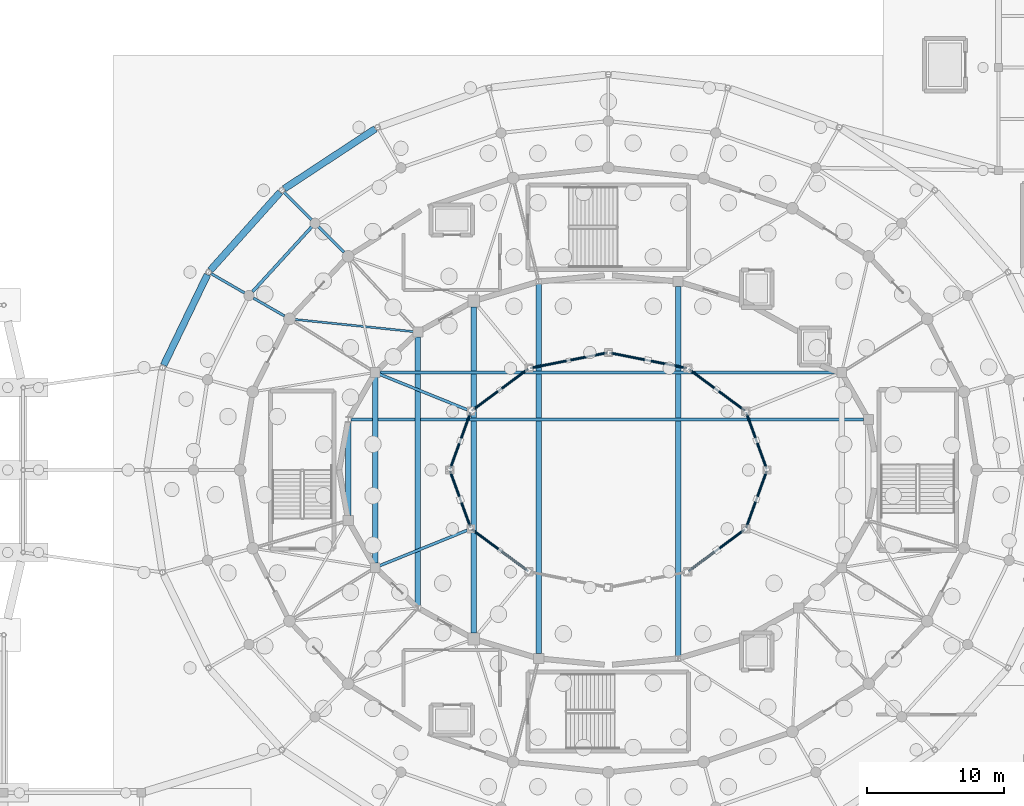
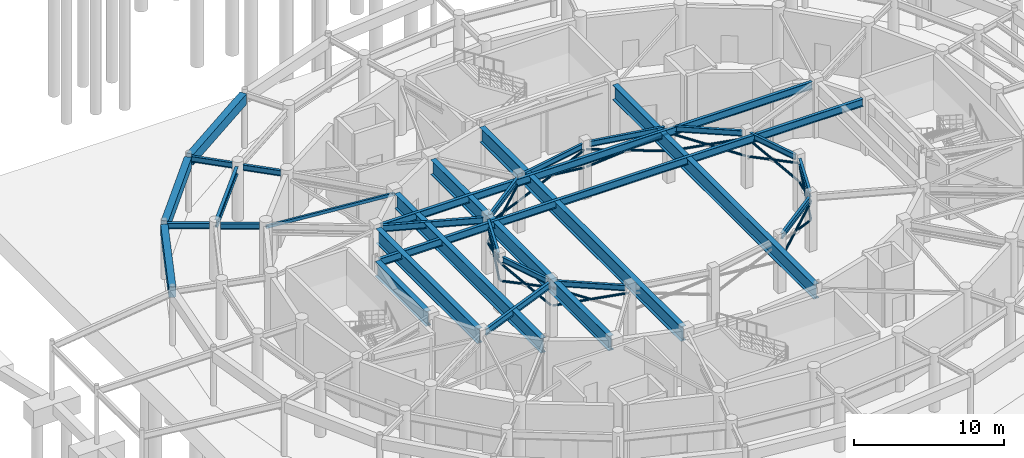
# One storey, part 29 of 68: 29 members, 28 beams.
"""IFC4 building model written with IfcOpenShell, lengths in metres."""

from ifc_helpers import new_model, si_unit, direction, frame, origin, origin_2d, place, context, subcontext, project, spatial, rectangle, hollow_rectangle, hollow_circle, i_section, extrude, material, material_profile, profile_set, type_object, element, save


model = new_model("IFC4")

# Units and contexts
model_context = context("Model", 3, precision=1e-05, world=origin(), true_north=direction((0.0, 1.0)))
body_context = subcontext(model_context, "Body", "Model", "MODEL_VIEW")
ifc_project = project(units=[si_unit("LENGTHUNIT", "METRE"), si_unit("AREAUNIT", "SQUARE_METRE"), si_unit("VOLUMEUNIT", "CUBIC_METRE"), si_unit("PLANEANGLEUNIT", "RADIAN"), si_unit("MASSUNIT", "GRAM", prefix="KILO")], contexts=[model_context])

# Site, building, storey
site_placement = place(None, origin())
site = spatial("IfcSite", under=ifc_project, at=site_placement, CompositionType="ELEMENT")
building_placement = place(site_placement, origin())
building = spatial("IfcBuilding", under=site, at=building_placement, Name="Cinderbank Siding Concert Hall", CompositionType="ELEMENT")
storey_placement = place(building_placement, frame((0.0, 0.0, -4.800048828125)))
storey = spatial("IfcBuildingStorey", under=building, at=storey_placement, Name="B1", CompositionType="ELEMENT", Elevation=-4.800048828125)

# Beams
ifc_material_1 = material(Name="Reinforced concrete AS 3600 N50 (50 MPa)", Category="concrete")
ifc_material_profile_1 = material_profile(ifc_material_1, rectangle(XDim=0.5, YDim=0.85009765625, at=origin_2d()), Name="RC-BM-500x850", Category="LoadBearing")
ifc_profile_set_1 = profile_set([ifc_material_profile_1], Name="Reinforced concrete AS 3600 N50 (50 MPa)")
beam_type_1 = type_object("IfcBeamType", Name="BM-RC850 RC-BM-500x850", PredefinedType="BEAM", material=ifc_profile_set_1)
beam_1_placement = place(storey_placement, frame((105.036865234375, 68.834228515625, 4.09716796875), z_axis=(-0.835488051266, -0.549508613392, 0.0), x_axis=(0.549508613392, -0.835488051266, 0.0)))
element("IfcBeam", 1, at=beam_1_placement, inside=storey, type_object=beam_type_1, Name="B1 Beam BM-RC850 #258", PredefinedType="BEAM", context=body_context, shape_type="SweptSolid", body=[
    extrude(rectangle(XDim=0.5, YDim=0.85009765625, at=origin_2d()), origin(), (0.0, 0.0, 1.0), 7.9384765625),
])
beam_2_placement = place(storey_placement, frame((98.111083984375, 64.21923828125, 4.09716796875), z_axis=(-0.66699631625, -0.745061013682, 0.0), x_axis=(0.745061013682, -0.66699631625, 0.0)))
element("IfcBeam", 2, at=beam_2_placement, inside=storey, type_object=beam_type_1, Name="B1 Beam BM-RC850 #259", PredefinedType="BEAM", context=body_context, shape_type="SweptSolid", body=[
    extrude(rectangle(XDim=0.5, YDim=0.85009765625, at=origin_2d()), origin(), (0.0, 0.0, 1.0), 7.615234375),
])
beam_3_placement = place(storey_placement, frame((92.816650390625, 58.22412109375, 4.09716796875), z_axis=(-0.435119119312, -0.900372896087, 0.0), x_axis=(0.900372896087, -0.435119119312, 0.0)))
element("IfcBeam", 3, at=beam_3_placement, inside=storey, type_object=beam_type_1, Name="B1 Beam BM-RC850 #260", PredefinedType="BEAM", context=body_context, shape_type="SweptSolid", body=[
    extrude(rectangle(XDim=0.5, YDim=0.85009765625, at=origin_2d()), origin(), (0.0, 0.0, 1.0), 7.323974609375),
])
ifc_material_2 = material(Name="Structural steel AS/NZS 3679.1 Grade 350 (340 MPa)", Category="steel")
ifc_material_profile_2 = material_profile(ifc_material_2, i_section(OverallWidth=0.18994140625, OverallDepth=0.45751953125, WebThickness=0.009033203125, FlangeThickness=0.014404296875, at=origin_2d()), Name="460UB74.6", Category="LoadBearing")
ifc_profile_set_2 = profile_set([ifc_material_profile_2], Name="Structural steel AS/NZS 3679.1 Grade 350 (340 MPa)")
beam_type_2 = type_object("IfcBeamType", Name="BM-UB460 460UB74.6", PredefinedType="BEAM", material=ifc_profile_set_2)
beam_4_placement = place(storey_placement, frame((133.45068359375, 44.274658203125, 4.25341796875), z_axis=(-0.340357494057, 0.940296110935, 0.0), x_axis=(-0.940296110935, -0.340357494057, 0.0)))
element("IfcBeam", 4, at=beam_4_placement, inside=storey, type_object=beam_type_2, Name="B1 Beam BM-UB460 #130", PredefinedType="BEAM", context=body_context, shape_type="SweptSolid", body=[
    extrude(i_section(OverallWidth=0.18994140625, OverallDepth=0.45751953125, WebThickness=0.009033203125, FlangeThickness=0.014404296875, at=origin_2d()), origin(), (0.0, 0.0, 1.0), 3.96240234375),
])
beam_5_placement = place(storey_placement, frame((131.767822265625, 48.44873046875, 4.25341796875), z_axis=(-0.803737525345, 0.594984025291, 0.0), x_axis=(-0.594984025291, -0.803737525345, 0.0)))
element("IfcBeam", 5, at=beam_5_placement, inside=storey, type_object=beam_type_2, Name="B1 Beam BM-UB460 #131", PredefinedType="BEAM", context=body_context, shape_type="SweptSolid", body=[
    extrude(i_section(OverallWidth=0.18994140625, OverallDepth=0.45751953125, WebThickness=0.009033203125, FlangeThickness=0.014404296875, at=origin_2d()), origin(), (0.0, 0.0, 1.0), 4.67578125),
])
for number, where, z_axis, x_axis, name in (
    (6, (127.488525390625, 51.461181640625, 4.25341796875), (-0.980885780775, 0.19458439062, 0.0), (-0.19458439062, -0.980885780775, 0.0), "B1 Beam BM-UB460 #133"),
    (7, (121.713623046875, 52.4931640625, 4.25341796875), (-0.980885780775, -0.19458439062, 0.0), (0.19458439062, -0.980885780775, 0.0), "B1 Beam BM-UB460 #134"),
):
    element("IfcBeam", number, at=place(storey_placement, frame(where, z_axis=z_axis, x_axis=x_axis)), inside=storey, type_object=beam_type_2, Name=name, PredefinedType="BEAM", context=body_context, shape_type="SweptSolid", body=[
        extrude(i_section(OverallWidth=0.18994140625, OverallDepth=0.45751953125, WebThickness=0.009033203125, FlangeThickness=0.014404296875, at=origin_2d()), origin(), (0.0, 0.0, 1.0), 5.303466796875),
    ])
beam_6_placement = place(storey_placement, frame((115.990234375, 51.230712890625, 4.25341796875), z_axis=(-0.803737525345, -0.594984025291, 0.0), x_axis=(0.594984025291, -0.803737525345, 0.0)))
element("IfcBeam", 8, at=beam_6_placement, inside=storey, type_object=beam_type_2, Name="B1 Beam BM-UB460 #135", PredefinedType="BEAM", context=body_context, shape_type="SweptSolid", body=[
    extrude(i_section(OverallWidth=0.18994140625, OverallDepth=0.45751953125, WebThickness=0.009033203125, FlangeThickness=0.014404296875, at=origin_2d()), origin(), (0.0, 0.0, 1.0), 4.67578125),
])
for number, where, z_axis, x_axis, name in (
    (9, (111.89794921875, 48.00048828125, 4.25341796875), (-0.340357494057, -0.940296110935, 0.0), (0.940296110935, -0.340357494057, 0.0), "B1 Beam BM-UB460 #137"),
    (10, (110.54931640625, 43.725341796875, 4.25341796875), (0.340357494057, -0.940296110935, 0.0), (0.940296110935, 0.340357494057, 0.0), "B1 Beam BM-UB460 #139"),
):
    element("IfcBeam", number, at=place(storey_placement, frame(where, z_axis=z_axis, x_axis=x_axis)), inside=storey, type_object=beam_type_2, Name=name, PredefinedType="BEAM", context=body_context, shape_type="SweptSolid", body=[
        extrude(i_section(OverallWidth=0.18994140625, OverallDepth=0.45751953125, WebThickness=0.009033203125, FlangeThickness=0.014404296875, at=origin_2d()), origin(), (0.0, 0.0, 1.0), 3.96240234375),
    ])
for number, where, z_axis, x_axis, name in (
    (11, (112.232177734375, 39.55126953125, 4.25341796875), (0.803737525345, -0.594984025291, 0.0), (0.594984025291, 0.803737525345, 0.0), "B1 Beam BM-UB460 #140"),
    (12, (128.009765625, 36.769287109375, 4.25341796875), (0.803737525345, 0.594984025291, 0.0), (-0.594984025291, 0.803737525345, 0.0), "B1 Beam BM-UB460 #145"),
):
    element("IfcBeam", number, at=place(storey_placement, frame(where, z_axis=z_axis, x_axis=x_axis)), inside=storey, type_object=beam_type_2, Name=name, PredefinedType="BEAM", context=body_context, shape_type="SweptSolid", body=[
        extrude(i_section(OverallWidth=0.18994140625, OverallDepth=0.45751953125, WebThickness=0.009033203125, FlangeThickness=0.014404296875, at=origin_2d()), origin(), (0.0, 0.0, 1.0), 4.67578125),
    ])
beam_7_placement = place(storey_placement, frame((132.10205078125, 39.99951171875, 4.25341796875), z_axis=(0.340357494057, 0.940296110935, 0.0), x_axis=(-0.940296110935, 0.340357494057, 0.0)))
element("IfcBeam", 13, at=beam_7_placement, inside=storey, type_object=beam_type_2, Name="B1 Beam BM-UB460 #146", PredefinedType="BEAM", context=body_context, shape_type="SweptSolid", body=[
    extrude(i_section(OverallWidth=0.18994140625, OverallDepth=0.45751953125, WebThickness=0.009033203125, FlangeThickness=0.014404296875, at=origin_2d()), origin(), (0.0, 0.0, 1.0), 3.96240234375),
])
ifc_material_profile_3 = material_profile(ifc_material_2, i_section(OverallWidth=0.19091796875, OverallDepth=0.46044921875, WebThickness=0.010009765625, FlangeThickness=0.01611328125, at=origin_2d()), Name="460UB82.1", Category="LoadBearing")
ifc_profile_set_3 = profile_set([ifc_material_profile_3], Name="Structural steel AS/NZS 3679.1 Grade 350 (340 MPa)")
beam_type_3 = type_object("IfcBeamType", Name="BM-UB460H 460UB82.1", PredefinedType="BEAM", material=ifc_profile_set_3)
beam_8_placement = place(storey_placement, frame((102.754638671875, 59.851318359375, 4.251953125), z_axis=(-0.707153444121, 0.707060115172, 0.0), x_axis=(-0.707060115172, -0.707153444121, 0.0)))
element("IfcBeam", 14, at=beam_8_placement, inside=storey, type_object=beam_type_3, Name="B1 Beam BM-UB460H #294", PredefinedType="BEAM", context=body_context, shape_type="SweptSolid", body=[
    extrude(i_section(OverallWidth=0.19091796875, OverallDepth=0.46044921875, WebThickness=0.010009765625, FlangeThickness=0.01611328125, at=origin_2d()), origin(), (0.0, 0.0, 1.0), 2.615966796875),
])
beam_9_placement = place(storey_placement, frame((98.429443359375, 55.20849609375, 4.251953125), z_axis=(-0.866017746076, 0.500013263306, 0.0), x_axis=(-0.500013263306, -0.866017746076, 0.0)))
element("IfcBeam", 15, at=beam_9_placement, inside=storey, type_object=beam_type_3, Name="B1 Beam BM-UB460H #295", PredefinedType="BEAM", context=body_context, shape_type="SweptSolid", body=[
    extrude(i_section(OverallWidth=0.19091796875, OverallDepth=0.46044921875, WebThickness=0.010009765625, FlangeThickness=0.01611328125, at=origin_2d()), origin(), (0.0, 0.0, 1.0), 2.6162109375),
])
beam_10_placement = place(storey_placement, frame((100.385986328125, 62.219970703125, 4.291748046875), z_axis=(-0.707106781187, 0.707106781187, 0.0), x_axis=(-0.707106781187, -0.707106781187, 0.0)))
element("IfcBeam", 16, at=beam_10_placement, inside=storey, type_object=beam_type_3, Name="B1 Beam BM-UB460H #318", PredefinedType="BEAM", context=body_context, shape_type="SweptSolid", body=[
    extrude(i_section(OverallWidth=0.19091796875, OverallDepth=0.46044921875, WebThickness=0.010009765625, FlangeThickness=0.01611328125, at=origin_2d()), origin(), (0.0, 0.0, 1.0), 2.838134765625),
])
beam_11_placement = place(storey_placement, frame((95.5283203125, 56.883544921875, 4.291748046875), z_axis=(-0.866032301043, 0.499988053408, 0.0), x_axis=(-0.499988053408, -0.866032301043, 0.0)))
element("IfcBeam", 17, at=beam_11_placement, inside=storey, type_object=beam_type_3, Name="B1 Beam BM-UB460H #319", PredefinedType="BEAM", context=body_context, shape_type="SweptSolid", body=[
    extrude(i_section(OverallWidth=0.19091796875, OverallDepth=0.46044921875, WebThickness=0.010009765625, FlangeThickness=0.01611328125, at=origin_2d()), origin(), (0.0, 0.0, 1.0), 2.837890625),
])
ifc_material_profile_4 = material_profile(ifc_material_2, i_section(OverallWidth=0.208984375, OverallDepth=0.5283203125, WebThickness=0.009521484375, FlangeThickness=0.01318359375, at=origin_2d()), Name="530UB82.0", Category="LoadBearing")
ifc_profile_set_4 = profile_set([ifc_material_profile_4], Name="Structural steel AS/NZS 3679.1 Grade 350 (340 MPa)")
beam_type_4 = type_object("IfcBeamType", Name="BM-UB530 530UB82.0", PredefinedType="BEAM", material=ifc_profile_set_4)
for number, where, z_axis, x_axis, name in (
    (18, (111.726806640625, 48.384765625, 4.218017578125), (-0.926795292683, 0.37556688547, 0.0), (-0.37556688547, -0.926795292683, 0.0), "B1 Beam BM-UB530 #138"),
    (19, (111.726806640625, 39.615234375, 4.218017578125), (-0.926795292683, -0.37556688547, 0.0), (0.37556688547, -0.926795292683, 0.0), "B1 Beam BM-UB530 #141"),
):
    element("IfcBeam", number, at=place(storey_placement, frame(where, z_axis=z_axis, x_axis=x_axis)), inside=storey, type_object=beam_type_4, Name=name, PredefinedType="BEAM", context=body_context, shape_type="SweptSolid", body=[
        extrude(i_section(OverallWidth=0.208984375, OverallDepth=0.5283203125, WebThickness=0.009521484375, FlangeThickness=0.01318359375, at=origin_2d()), origin(), (0.0, 0.0, 1.0), 6.887939453125),
    ])
ifc_material_profile_5 = material_profile(ifc_material_2, i_section(OverallWidth=0.22900390625, OverallDepth=0.611572265625, WebThickness=0.011962890625, FlangeThickness=0.01953125, at=origin_2d()), Name="610UB125", Category="LoadBearing")
ifc_profile_set_5 = profile_set([ifc_material_profile_5], Name="Structural steel AS/NZS 3679.1 Grade 350 (340 MPa)")
beam_type_5 = type_object("IfcBeamType", Name="BM-UB610H 610UB125", PredefinedType="BEAM", material=ifc_profile_set_5)
beam_12_placement = place(storey_placement, frame((140.565185546875, 47.67529296875, 4.17626953125), z_axis=(-1.0, 0.0, 0.0), x_axis=(0.0, -1.0, 0.0)))
element("IfcBeam", 20, at=beam_12_placement, inside=storey, type_object=beam_type_5, Name="B1 Beam BM-UB610H #109", PredefinedType="BEAM", context=body_context, shape_type="SweptSolid", body=[
    extrude(i_section(OverallWidth=0.22900390625, OverallDepth=0.611572265625, WebThickness=0.011962890625, FlangeThickness=0.01953125, at=origin_2d()), origin(), (0.0, 0.0, 1.0), 37.30517578125),
])
beam_13_placement = place(storey_placement, frame((138.632080078125, 51.10009765625, 4.17626953125), z_axis=(-1.0, 0.0, 0.0), x_axis=(0.0, -1.0, 0.0)))
element("IfcBeam", 21, at=beam_13_placement, inside=storey, type_object=beam_type_5, Name="B1 Beam BM-UB610H #111", PredefinedType="BEAM", context=body_context, shape_type="SweptSolid", body=[
    extrude(i_section(OverallWidth=0.22900390625, OverallDepth=0.611572265625, WebThickness=0.011962890625, FlangeThickness=0.01953125, at=origin_2d()), origin(), (0.0, 0.0, 1.0), 33.26416015625),
])
ifc_material_profile_6 = material_profile(ifc_material_2, i_section(OverallWidth=0.22802734375, OverallDepth=0.60693359375, WebThickness=0.01123046875, FlangeThickness=0.017333984375, at=origin_2d()), Name="610UB113", Category="LoadBearing")
ifc_profile_set_6 = profile_set([ifc_material_profile_6], Name="Structural steel AS/NZS 3679.1 Grade 350 (340 MPa)")
beam_type_6 = type_object("IfcBeamType", Name="BM-UB610M 610UB113", PredefinedType="BEAM", material=ifc_profile_set_6)
beam_14_placement = place(storey_placement, frame((100.39794921875, 61.689453125, 4.178466796875), z_axis=(-0.673967477755, -0.738761016113, 0.0), x_axis=(0.738761016113, -0.673967477755, 0.0)))
element("IfcBeam", 22, at=beam_14_placement, inside=storey, type_object=beam_type_6, Name="B1 Beam BM-UB610M #235", PredefinedType="BEAM", context=body_context, shape_type="SweptSolid", body=[
    extrude(i_section(OverallWidth=0.22802734375, OverallDepth=0.60693359375, WebThickness=0.01123046875, FlangeThickness=0.017333984375, at=origin_2d()), origin(), (0.0, 0.0, 1.0), 6.38671875),
])
ifc_material_3 = material(Name="Structural steel welded plate section AS/NZS 3679.2 / AS/NZS 3678 Grade 350 (340 MPa)", Category="steel")
ifc_material_profile_7 = material_profile(ifc_material_3, i_section(OverallWidth=0.39990234375, OverallDepth=1.199951171875, WebThickness=0.01611328125, FlangeThickness=0.031982421875, at=origin_2d()), Name="1200WB342", Category="LoadBearing")
ifc_profile_set_7 = profile_set([ifc_material_profile_7], Name="Structural steel welded plate section AS/NZS 3679.2 / AS/NZS 3678 Grade 350 (340 MPa)")
beam_type_7 = type_object("IfcBeamType", Name="BM-WB1200 1200WB342", PredefinedType="BEAM", material=ifc_profile_set_7)
for number, where, z_axis, x_axis, name in (
    (23, (127.072998046875, 57.34912109375, 3.882080078125), (0.0, -1.0, 0.0), (1.0, 0.0, 0.0), "B1 Beam BM-WB1200 #112"),
    (24, (116.927001953125, 57.524169921875, 3.882080078125), (0.0, -1.0, 0.0), (1.0, 0.0, 0.0), "B1 Beam BM-WB1200 #114"),
):
    element("IfcBeam", number, at=place(storey_placement, frame(where, z_axis=z_axis, x_axis=x_axis)), inside=storey, type_object=beam_type_7, Name=name, PredefinedType="BEAM", context=body_context, shape_type="SweptSolid", body=[
        extrude(i_section(OverallWidth=0.39990234375, OverallDepth=1.199951171875, WebThickness=0.01611328125, FlangeThickness=0.031982421875, at=origin_2d()), origin(), (0.0, 0.0, 1.0), 26.873291015625),
    ])
beam_15_placement = place(storey_placement, frame((112.199951171875, 55.880615234375, 3.882080078125), z_axis=(0.0, -1.0, 0.0), x_axis=(1.0, 0.0, 0.0)))
element("IfcBeam", 25, at=beam_15_placement, inside=storey, type_object=beam_type_7, Name="B1 Beam BM-WB1200 #115", PredefinedType="BEAM", context=body_context, shape_type="SweptSolid", body=[
    extrude(i_section(OverallWidth=0.39990234375, OverallDepth=1.199951171875, WebThickness=0.01611328125, FlangeThickness=0.031982421875, at=origin_2d()), origin(), (0.0, 0.0, 1.0), 23.76123046875),
])
beam_16_placement = place(storey_placement, frame((108.140625, 53.673828125, 3.882080078125), z_axis=(0.0, -1.0, 0.0), x_axis=(1.0, 0.0, 0.0)))
element("IfcBeam", 26, at=beam_16_placement, inside=storey, type_object=beam_type_7, Name="B1 Beam BM-WB1200 #116", PredefinedType="BEAM", context=body_context, shape_type="SweptSolid", body=[
    extrude(i_section(OverallWidth=0.39990234375, OverallDepth=1.199951171875, WebThickness=0.01611328125, FlangeThickness=0.031982421875, at=origin_2d()), origin(), (0.0, 0.0, 1.0), 19.522705078125),
])
beam_17_placement = place(storey_placement, frame((105.02587890625, 50.758056640625, 3.882080078125), z_axis=(0.0, -1.0, 0.0), x_axis=(1.0, 0.0, 0.0)))
element("IfcBeam", 27, at=beam_17_placement, inside=storey, type_object=beam_type_7, Name="B1 Beam BM-WB1200 #117", PredefinedType="BEAM", context=body_context, shape_type="SweptSolid", body=[
    extrude(i_section(OverallWidth=0.39990234375, OverallDepth=1.199951171875, WebThickness=0.01611328125, FlangeThickness=0.031982421875, at=origin_2d()), origin(), (0.0, 0.0, 1.0), 13.51611328125),
])
beam_18_placement = place(storey_placement, frame((103.06787109375, 47.483154296875, 3.882080078125), z_axis=(0.0, -1.0, 0.0), x_axis=(1.0, 0.0, 0.0)))
element("IfcBeam", 28, at=beam_18_placement, inside=storey, type_object=beam_type_7, Name="B1 Beam BM-WB1200 #118", PredefinedType="BEAM", context=body_context, shape_type="SweptSolid", body=[
    extrude(i_section(OverallWidth=0.39990234375, OverallDepth=1.199951171875, WebThickness=0.01611328125, FlangeThickness=0.031982421875, at=origin_2d()), origin(), (0.0, 0.0, 1.0), 6.791259765625),
])

# Members
ifc_material_4 = material(Name="Structural steel hollow section AS/NZS 1163 Grade C350L0 (350 MPa)", Category="steel")
ifc_material_profile_8 = material_profile(ifc_material_4, hollow_circle(Radius=0.084228515625, WallThickness=0.007080078125, at=origin_2d()), Name="168.3x7.1CHS", Category="LoadBearing")
ifc_profile_set_8 = profile_set([ifc_material_profile_8], Name="Structural steel hollow section AS/NZS 1163 Grade C350L0 (350 MPa)")
member_type_1 = type_object("IfcMemberType", Name="BR-CHS168 168.3x7.1CHS Roof Truss", PredefinedType="BRACE", material=ifc_profile_set_8)
member_1_placement = place(storey_placement, frame((133.522705078125, 44.0751953125, 2.400146484375), z_axis=(-0.323374434675, 0.893391283629, 0.311899005022), x_axis=(-0.940297792876, -0.340352847368, 0.0)))
element("IfcMember", 29, at=member_1_placement, inside=storey, type_object=member_type_1, Name="B1 Diagonal Brace BR-CHS168 #RKCR-BR-CHS168-B1-1998", PredefinedType="BRACE", context=body_context, shape_type="SweptSolid", body=[
    extrude(hollow_circle(Radius=0.084228515625, WallThickness=0.007080078125, at=origin_2d()), origin(), (0.0, 0.0, 1.0), 4.61669921875),
])
for number, where, z_axis, x_axis, name in (
    (30, (132.02978515625, 48.19970703125, 2.400146484375), (0.323421896065, -0.893402419941, 0.311817884653), (0.940283163475, 0.340393261515, 0.0), "B1 Diagonal Brace BR-CHS168 #RKCR-BR-CHS168-B1-1999"),
    (31, (132.78125, 46.1240234375, 3.124755859375), (0.323315832989, -0.893403513482, 0.311924725274), (0.940319021483, 0.34029419307, 0.0), "B1 Diagonal Brace BR-CHS168 #RKCR-BR-CHS168-B1-1999-S153"),
):
    element("IfcMember", number, at=place(storey_placement, frame(where, z_axis=z_axis, x_axis=x_axis)), inside=storey, type_object=member_type_1, Name=name, PredefinedType="BRACE", context=body_context, shape_type="SweptSolid", body=[
        extrude(hollow_circle(Radius=0.084228515625, WallThickness=0.007080078125, at=origin_2d()), origin(), (0.0, 0.0, 1.0), 2.293212890625),
    ])
member_2_placement = place(storey_placement, frame((131.938232421875, 48.322509765625, 2.400146484375), z_axis=(-0.773483829379, 0.57261483801, 0.271725988783), x_axis=(-0.595001989932, -0.803724226322, 0.0)))
element("IfcMember", 32, at=member_2_placement, inside=storey, type_object=member_type_1, Name="B1 Diagonal Brace BR-CHS168 #RKCR-BR-CHS168-B1-2000", PredefinedType="BRACE", context=body_context, shape_type="SweptSolid", body=[
    extrude(hollow_circle(Radius=0.084228515625, WallThickness=0.007080078125, at=origin_2d()), origin(), (0.0, 0.0, 1.0), 5.29931640625),
])
member_3_placement = place(storey_placement, frame((127.83935546875, 51.35693359375, 2.400146484375), z_axis=(0.773503697063, -0.572598459824, 0.271703946303), x_axis=(0.59498112384, 0.803739673199, 0.0)))
element("IfcMember", 33, at=member_3_placement, inside=storey, type_object=member_type_1, Name="B1 Diagonal Brace BR-CHS168 #RKCR-BR-CHS168-B1-2001", PredefinedType="BRACE", context=body_context, shape_type="SweptSolid", body=[
    extrude(hollow_circle(Radius=0.084228515625, WallThickness=0.007080078125, at=origin_2d()), origin(), (0.0, 0.0, 1.0), 2.634521484375),
])
member_4_placement = place(storey_placement, frame((129.900390625, 49.831298828125, 3.124267578125), z_axis=(0.773462653494, -0.572660740217, 0.271689529177), x_axis=(0.595043322136, 0.803693626192, 0.0)))
element("IfcMember", 34, at=member_4_placement, inside=storey, type_object=member_type_1, Name="B1 Diagonal Brace BR-CHS168 #RKCR-BR-CHS168-B1-2001-S154", PredefinedType="BRACE", context=body_context, shape_type="SweptSolid", body=[
    extrude(hollow_circle(Radius=0.084228515625, WallThickness=0.007080078125, at=origin_2d()), origin(), (0.0, 0.0, 1.0), 2.634765625),
])
member_5_placement = place(storey_placement, frame((127.696533203125, 51.420166015625, 2.400146484375), z_axis=(-0.95128806538, 0.188678402955, 0.243826735457), x_axis=(-0.194550158365, -0.980892571019, 0.0)))
element("IfcMember", 35, at=member_5_placement, inside=storey, type_object=member_type_1, Name="B1 Diagonal Brace BR-CHS168 #RKCR-BR-CHS168-B1-2002", PredefinedType="BRACE", context=body_context, shape_type="SweptSolid", body=[
    extrude(hollow_circle(Radius=0.084228515625, WallThickness=0.007080078125, at=origin_2d()), origin(), (0.0, 0.0, 1.0), 5.905517578125),
])
for number, where, z_axis, x_axis, name in (
    (36, (122.07861328125, 52.534423828125, 2.400146484375), (0.951279182197, -0.18872674262, 0.243823981879), (0.19459986347, 0.980882711203, 0.0), "B1 Diagonal Brace BR-CHS168 #RKCR-BR-CHS168-B1-2003"),
    (37, (124.90185546875, 51.974365234375, 3.123779296875), (0.951294098882, -0.188646597752, 0.2438278052), (0.194517417313, 0.980899064309, 0.0), "B1 Diagonal Brace BR-CHS168 #RKCR-BR-CHS168-B1-2003-S155"),
):
    element("IfcMember", number, at=place(storey_placement, frame(where, z_axis=z_axis, x_axis=x_axis)), inside=storey, type_object=member_type_1, Name=name, PredefinedType="BRACE", context=body_context, shape_type="SweptSolid", body=[
        extrude(hollow_circle(Radius=0.084228515625, WallThickness=0.007080078125, at=origin_2d()), origin(), (0.0, 0.0, 1.0), 2.937744140625),
    ])
member_6_placement = place(storey_placement, frame((121.92138671875, 52.534423828125, 2.400146484375), z_axis=(-0.95128806538, -0.188678402955, 0.243826735457), x_axis=(0.194550158365, -0.980892571019, 0.0)))
element("IfcMember", 38, at=member_6_placement, inside=storey, type_object=member_type_1, Name="B1 Diagonal Brace BR-CHS168 #RKCR-BR-CHS168-B1-2004", PredefinedType="BRACE", context=body_context, shape_type="SweptSolid", body=[
    extrude(hollow_circle(Radius=0.084228515625, WallThickness=0.007080078125, at=origin_2d()), origin(), (0.0, 0.0, 1.0), 5.905517578125),
])
for number, where, z_axis, x_axis, name in (
    (39, (116.303466796875, 51.420166015625, 2.400146484375), (0.951294098882, 0.188646597752, 0.2438278052), (-0.194517417313, 0.980899064309, 0.0), "B1 Diagonal Brace BR-CHS168 #RKCR-BR-CHS168-B1-2005"),
    (40, (119.126708984375, 51.97998046875, 3.123779296875), (0.951279182197, 0.18872674262, 0.243823981879), (-0.19459986347, 0.980882711203, 0.0), "B1 Diagonal Brace BR-CHS168 #RKCR-BR-CHS168-B1-2005-S156"),
):
    element("IfcMember", number, at=place(storey_placement, frame(where, z_axis=z_axis, x_axis=x_axis)), inside=storey, type_object=member_type_1, Name=name, PredefinedType="BRACE", context=body_context, shape_type="SweptSolid", body=[
        extrude(hollow_circle(Radius=0.084228515625, WallThickness=0.007080078125, at=origin_2d()), origin(), (0.0, 0.0, 1.0), 2.937744140625),
    ])
member_7_placement = place(storey_placement, frame((116.16064453125, 51.35693359375, 2.400146484375), z_axis=(-0.773483829379, -0.57261483801, 0.271725988783), x_axis=(0.595001989932, -0.803724226322, 0.0)))
element("IfcMember", 41, at=member_7_placement, inside=storey, type_object=member_type_1, Name="B1 Diagonal Brace BR-CHS168 #RKCR-BR-CHS168-B1-2006", PredefinedType="BRACE", context=body_context, shape_type="SweptSolid", body=[
    extrude(hollow_circle(Radius=0.084228515625, WallThickness=0.007080078125, at=origin_2d()), origin(), (0.0, 0.0, 1.0), 5.29931640625),
])
member_8_placement = place(storey_placement, frame((112.061767578125, 48.322509765625, 2.400146484375), z_axis=(0.773462653494, 0.572660740217, 0.271689529177), x_axis=(-0.595043322136, 0.803693626192, 0.0)))
element("IfcMember", 42, at=member_8_placement, inside=storey, type_object=member_type_1, Name="B1 Diagonal Brace BR-CHS168 #RKCR-BR-CHS168-B1-2007", PredefinedType="BRACE", context=body_context, shape_type="SweptSolid", body=[
    extrude(hollow_circle(Radius=0.084228515625, WallThickness=0.007080078125, at=origin_2d()), origin(), (0.0, 0.0, 1.0), 2.634765625),
])
member_9_placement = place(storey_placement, frame((114.122802734375, 49.848388671875, 3.124267578125), z_axis=(0.773503697063, 0.572598459824, 0.271703946303), x_axis=(-0.59498112384, 0.803739673199, 0.0)))
element("IfcMember", 43, at=member_9_placement, inside=storey, type_object=member_type_1, Name="B1 Diagonal Brace BR-CHS168 #RKCR-BR-CHS168-B1-2007-S157", PredefinedType="BRACE", context=body_context, shape_type="SweptSolid", body=[
    extrude(hollow_circle(Radius=0.084228515625, WallThickness=0.007080078125, at=origin_2d()), origin(), (0.0, 0.0, 1.0), 2.634521484375),
])
member_10_placement = place(storey_placement, frame((111.97021484375, 48.19970703125, 2.400146484375), z_axis=(-0.323374434675, -0.893391283629, 0.311899005022), x_axis=(0.940297792876, -0.340352847368, 0.0)))
element("IfcMember", 44, at=member_10_placement, inside=storey, type_object=member_type_1, Name="B1 Diagonal Brace BR-CHS168 #RKCR-BR-CHS168-B1-2008", PredefinedType="BRACE", context=body_context, shape_type="SweptSolid", body=[
    extrude(hollow_circle(Radius=0.084228515625, WallThickness=0.007080078125, at=origin_2d()), origin(), (0.0, 0.0, 1.0), 4.61669921875),
])
member_11_placement = place(storey_placement, frame((110.477294921875, 44.0751953125, 2.400146484375), z_axis=(0.323326568098, 0.893433177307, 0.311828619677), x_axis=(-0.940319021483, 0.34029419307, 0.0)))
element("IfcMember", 45, at=member_11_placement, inside=storey, type_object=member_type_1, Name="B1 Diagonal Brace BR-CHS168 #RKCR-BR-CHS168-B1-2009", PredefinedType="BRACE", context=body_context, shape_type="SweptSolid", body=[
    extrude(hollow_circle(Radius=0.084228515625, WallThickness=0.007080078125, at=origin_2d()), origin(), (0.0, 0.0, 1.0), 2.293212890625),
])
member_12_placement = place(storey_placement, frame((111.228515625, 46.15087890625, 3.124755859375), z_axis=(0.32341115853, 0.893372759179, 0.311913987654), x_axis=(-0.940283163475, 0.340393261515, 0.0)))
element("IfcMember", 46, at=member_12_placement, inside=storey, type_object=member_type_1, Name="B1 Diagonal Brace BR-CHS168 #RKCR-BR-CHS168-B1-2009-S158", PredefinedType="BRACE", context=body_context, shape_type="SweptSolid", body=[
    extrude(hollow_circle(Radius=0.084228515625, WallThickness=0.007080078125, at=origin_2d()), origin(), (0.0, 0.0, 1.0), 2.29345703125),
])
member_13_placement = place(storey_placement, frame((110.477294921875, 43.9248046875, 2.400146484375), z_axis=(0.323374434675, -0.893391283629, 0.311899005022), x_axis=(0.940297792876, 0.340352847368, 0.0)))
element("IfcMember", 47, at=member_13_placement, inside=storey, type_object=member_type_1, Name="B1 Diagonal Brace BR-CHS168 #RKCR-BR-CHS168-B1-2010", PredefinedType="BRACE", context=body_context, shape_type="SweptSolid", body=[
    extrude(hollow_circle(Radius=0.084228515625, WallThickness=0.007080078125, at=origin_2d()), origin(), (0.0, 0.0, 1.0), 4.61669921875),
])
for number, where, z_axis, x_axis, name in (
    (48, (111.97021484375, 39.80029296875, 2.400146484375), (-0.323421896065, 0.893402419941, 0.311817884653), (-0.940283163475, -0.340393261515, 0.0), "B1 Diagonal Brace BR-CHS168 #RKCR-BR-CHS168-B1-2011"),
    (49, (111.21875, 41.8759765625, 3.124755859375), (-0.323315832989, 0.893403513482, 0.311924725274), (-0.940319021483, -0.34029419307, 0.0), "B1 Diagonal Brace BR-CHS168 #RKCR-BR-CHS168-B1-2011-S159"),
):
    element("IfcMember", number, at=place(storey_placement, frame(where, z_axis=z_axis, x_axis=x_axis)), inside=storey, type_object=member_type_1, Name=name, PredefinedType="BRACE", context=body_context, shape_type="SweptSolid", body=[
        extrude(hollow_circle(Radius=0.084228515625, WallThickness=0.007080078125, at=origin_2d()), origin(), (0.0, 0.0, 1.0), 2.293212890625),
    ])
member_14_placement = place(storey_placement, frame((112.061767578125, 39.677490234375, 2.400146484375), z_axis=(0.773483829379, -0.57261483801, 0.271725988783), x_axis=(0.595001989932, 0.803724226322, 0.0)))
element("IfcMember", 50, at=member_14_placement, inside=storey, type_object=member_type_1, Name="B1 Diagonal Brace BR-CHS168 #RKCR-BR-CHS168-B1-2012", PredefinedType="BRACE", context=body_context, shape_type="SweptSolid", body=[
    extrude(hollow_circle(Radius=0.084228515625, WallThickness=0.007080078125, at=origin_2d()), origin(), (0.0, 0.0, 1.0), 5.29931640625),
])
member_15_placement = place(storey_placement, frame((114.099609375, 38.168701171875, 3.124267578125), z_axis=(-0.773462653494, 0.572660740217, 0.271689529177), x_axis=(-0.595043322136, -0.803693626192, 0.0)))
element("IfcMember", 51, at=member_15_placement, inside=storey, type_object=member_type_1, Name="B1 Diagonal Brace BR-CHS168 #RKCR-BR-CHS168-B1-2013-S160", PredefinedType="BRACE", context=body_context, shape_type="SweptSolid", body=[
    extrude(hollow_circle(Radius=0.084228515625, WallThickness=0.007080078125, at=origin_2d()), origin(), (0.0, 0.0, 1.0), 2.634765625),
])
member_16_placement = place(storey_placement, frame((127.83935546875, 36.64306640625, 2.400146484375), z_axis=(0.773483829379, 0.57261483801, 0.271725988783), x_axis=(-0.595001989932, 0.803724226322, 0.0)))
element("IfcMember", 52, at=member_16_placement, inside=storey, type_object=member_type_1, Name="B1 Diagonal Brace BR-CHS168 #RKCR-BR-CHS168-B1-2018", PredefinedType="BRACE", context=body_context, shape_type="SweptSolid", body=[
    extrude(hollow_circle(Radius=0.084228515625, WallThickness=0.007080078125, at=origin_2d()), origin(), (0.0, 0.0, 1.0), 5.29931640625),
])
member_17_placement = place(storey_placement, frame((131.938232421875, 39.677490234375, 2.400146484375), z_axis=(-0.773462653494, -0.572660740217, 0.271689529177), x_axis=(0.595043322136, -0.803693626192, 0.0)))
element("IfcMember", 53, at=member_17_placement, inside=storey, type_object=member_type_1, Name="B1 Diagonal Brace BR-CHS168 #RKCR-BR-CHS168-B1-2019", PredefinedType="BRACE", context=body_context, shape_type="SweptSolid", body=[
    extrude(hollow_circle(Radius=0.084228515625, WallThickness=0.007080078125, at=origin_2d()), origin(), (0.0, 0.0, 1.0), 2.634765625),
])
member_18_placement = place(storey_placement, frame((132.02978515625, 39.80029296875, 2.400146484375), z_axis=(0.323374434675, 0.893391283629, 0.311899005022), x_axis=(-0.940297792876, 0.340352847368, 0.0)))
element("IfcMember", 54, at=member_18_placement, inside=storey, type_object=member_type_1, Name="B1 Diagonal Brace BR-CHS168 #RKCR-BR-CHS168-B1-2020", PredefinedType="BRACE", context=body_context, shape_type="SweptSolid", body=[
    extrude(hollow_circle(Radius=0.084228515625, WallThickness=0.007080078125, at=origin_2d()), origin(), (0.0, 0.0, 1.0), 4.61669921875),
])
member_19_placement = place(storey_placement, frame((133.522705078125, 43.9248046875, 2.400146484375), z_axis=(-0.323326568098, -0.893433177307, 0.311828619677), x_axis=(0.940319021483, -0.34029419307, 0.0)))
element("IfcMember", 55, at=member_19_placement, inside=storey, type_object=member_type_1, Name="B1 Diagonal Brace BR-CHS168 #RKCR-BR-CHS168-B1-2021", PredefinedType="BRACE", context=body_context, shape_type="SweptSolid", body=[
    extrude(hollow_circle(Radius=0.084228515625, WallThickness=0.007080078125, at=origin_2d()), origin(), (0.0, 0.0, 1.0), 2.293212890625),
])
member_20_placement = place(storey_placement, frame((132.771484375, 41.84912109375, 3.124755859375), z_axis=(-0.32341115853, -0.893372759179, 0.311913987654), x_axis=(0.940283163475, -0.340393261515, 0.0)))
element("IfcMember", 56, at=member_20_placement, inside=storey, type_object=member_type_1, Name="B1 Diagonal Brace BR-CHS168 #RKCR-BR-CHS168-B1-2021-S164", PredefinedType="BRACE", context=body_context, shape_type="SweptSolid", body=[
    extrude(hollow_circle(Radius=0.084228515625, WallThickness=0.007080078125, at=origin_2d()), origin(), (0.0, 0.0, 1.0), 2.29345703125),
])
ifc_material_profile_9 = material_profile(ifc_material_4, hollow_rectangle(XDim=0.14990234375, YDim=0.25, WallThickness=0.009033203125, at=origin_2d()), Name="250x150x9.0RHS", Category="LoadBearing")
ifc_profile_set_9 = profile_set([ifc_material_profile_9], Name="Structural steel hollow section AS/NZS 1163 Grade C350L0 (350 MPa)")
member_type_2 = type_object("IfcMemberType", Name="TR-RHS250 250x150x9.0RHS Roof Truss", PredefinedType="RAFTER", material=ifc_profile_set_9)
member_21_placement = place(storey_placement, frame((108.140625, 54.041015625, 4.179931640625), z_axis=(-0.994781438611, 0.102028865499, 0.0), x_axis=(-0.102028865499, -0.994781438611, 0.0)))
element("IfcMember", 57, at=member_21_placement, inside=storey, type_object=member_type_2, Name="B1 Roof Truss Member TR-RHS250 #2156", PredefinedType="RAFTER", context=body_context, shape_type="SweptSolid", body=[
    extrude(hollow_rectangle(XDim=0.14990234375, YDim=0.25, WallThickness=0.009033203125, at=origin_2d()), origin(), (0.0, 0.0, 1.0), 9.399169921875),
])

save(model, "model.ifc")
